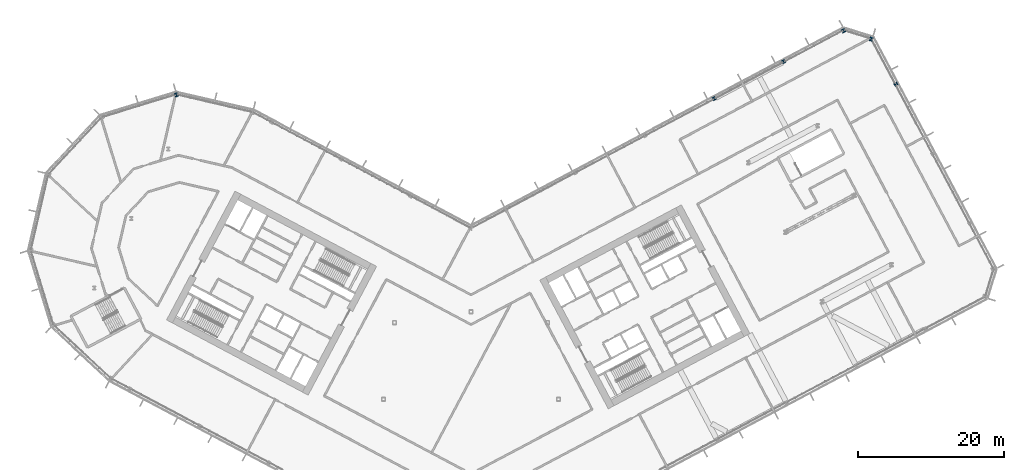
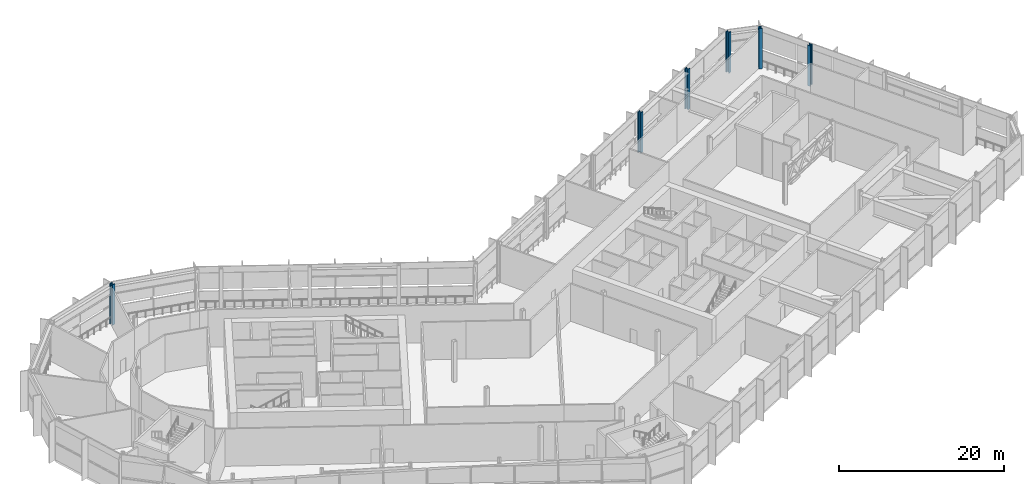
# One storey, part 5 of 33: 6 columns.
"""IFC4 building model written with IfcOpenShell, lengths in metres."""

from ifc_helpers import new_model, si_unit, direction, frame, origin, origin_2d, place, context, subcontext, project, spatial, i_section, extrude, material, material_profile, profile_set, type_object, element, save


model = new_model("IFC4")

# Units and contexts
model_context = context("Model", 3, precision=1e-05, world=origin(), true_north=direction((0.0, 1.0)))
body_context = subcontext(model_context, "Body", "Model", "MODEL_VIEW")
ifc_project = project(units=[si_unit("LENGTHUNIT", "METRE"), si_unit("AREAUNIT", "SQUARE_METRE"), si_unit("VOLUMEUNIT", "CUBIC_METRE"), si_unit("PLANEANGLEUNIT", "RADIAN"), si_unit("MASSUNIT", "GRAM", prefix="KILO")], contexts=[model_context])

# Site, building, storey
site_placement = place(None, origin())
site = spatial("IfcSite", under=ifc_project, at=site_placement, CompositionType="ELEMENT")
building_placement = place(site_placement, origin())
building = spatial("IfcBuilding", under=site, at=building_placement, Name="Cormorant Relay Tower", CompositionType="ELEMENT")
storey_placement = place(building_placement, frame((0.0, 0.0, 112.199951171875)))
storey = spatial("IfcBuildingStorey", under=building, at=storey_placement, Name="L22", CompositionType="ELEMENT", Elevation=112.199951171875)

# Columns
ifc_material_1 = material(Name="Steel ASTM A992 (Fy 345 MPa)", Category="steel")
ifc_material_profile_1 = material_profile(ifc_material_1, i_section(OverallWidth=0.42431640625, OverallDepth=0.47509765625, WebThickness=0.0478515625, FlangeThickness=0.0771484375, FilletRadius=0.014892578125, at=origin_2d()), Name="W360x634")
ifc_profile_set_1 = profile_set([ifc_material_profile_1], Name="Steel ASTM A992 (Fy 345 MPa)")
column_type_1 = type_object("IfcColumnType", Name="Column W360x634", PredefinedType="COLUMN", material=ifc_profile_set_1)
for number, where, z_axis, x_axis, name in (
    (1, (33.342041015625, 41.239990234375, 0.0), (0.0, 0.0, 1.0), (-0.882947592859, -0.469471562786, 0.0), "Column L22-049"),
    (2, (58.2900390625, 43.22509765625, 0.0), (0.0, 0.0, 1.0), (-0.469471562786, 0.882947592859, 0.0), "Column L22-051"),
    (3, (42.876953125, 46.31005859375, 0.0), (0.0, 0.0, 1.0), (-0.882947592859, -0.469471562786, 0.0), "Column L22-052"),
):
    element("IfcColumn", number, at=place(storey_placement, frame(where, z_axis=z_axis, x_axis=x_axis)), inside=storey, type_object=column_type_1, Name=name, PredefinedType="COLUMN", context=body_context, shape_type="SweptSolid", body=[
        extrude(i_section(OverallWidth=0.42431640625, OverallDepth=0.47509765625, WebThickness=0.0478515625, FlangeThickness=0.0771484375, FilletRadius=0.014892578125, at=origin_2d()), origin(), (0.0, 0.0, 1.0), 6.0),
    ])
ifc_material_2 = material(Name="Steel ASTM A992 (Fy 345 MPa)", Category="steel")
ifc_material_profile_2 = material_profile(ifc_material_2, i_section(OverallWidth=0.43701171875, OverallDepth=0.51318359375, WebThickness=0.060546875, FlangeThickness=0.096923828125, FilletRadius=0.015380859375, at=origin_2d()), Name="W360x818")
ifc_profile_set_2 = profile_set([ifc_material_profile_2], Name="Steel ASTM A992 (Fy 345 MPa)")
column_type_2 = type_object("IfcColumnType", Name="Column W360x818", PredefinedType="COLUMN", material=ifc_profile_set_2)
for number, where, z_axis, x_axis, name in (
    (4, (-40.452880859375, 41.763916015625, 0.0), (0.0, 0.0, 1.0), (-0.956304755963, -0.292371704723, 0.0), "Column L22-050"),
    (5, (54.885986328125, 49.409912109375, 0.0), (0.0, 0.0, 1.0), (-0.956304755963, 0.292371704723, 0.0), "Column L22-053"),
    (6, (51.10009765625, 50.56689453125, 0.0), (0.0, 0.0, 1.0), (-0.882947592859, -0.469471562786, 0.0), "Column L22-054"),
):
    element("IfcColumn", number, at=place(storey_placement, frame(where, z_axis=z_axis, x_axis=x_axis)), inside=storey, type_object=column_type_2, Name=name, PredefinedType="COLUMN", context=body_context, shape_type="SweptSolid", body=[
        extrude(i_section(OverallWidth=0.43701171875, OverallDepth=0.51318359375, WebThickness=0.060546875, FlangeThickness=0.096923828125, FilletRadius=0.015380859375, at=origin_2d()), origin(), (0.0, 0.0, 1.0), 6.0),
    ])

save(model, "model.ifc")
